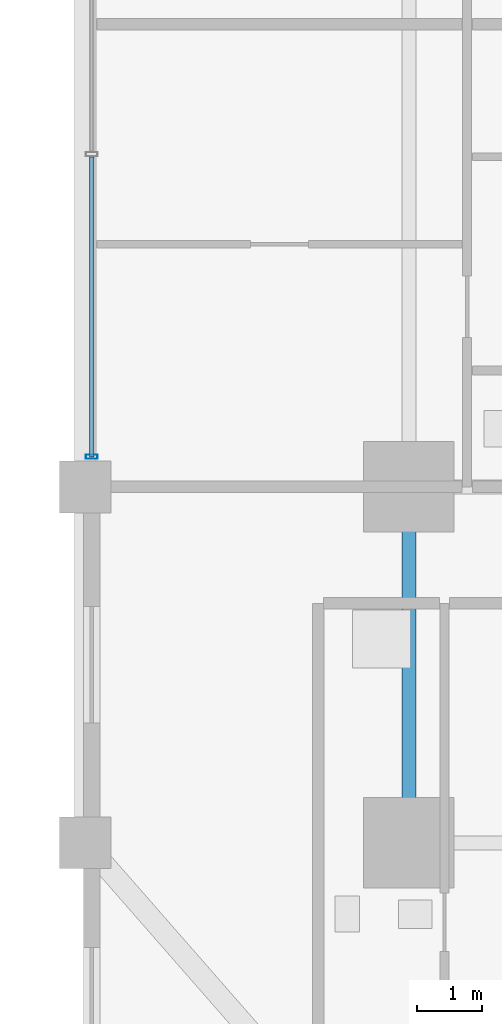
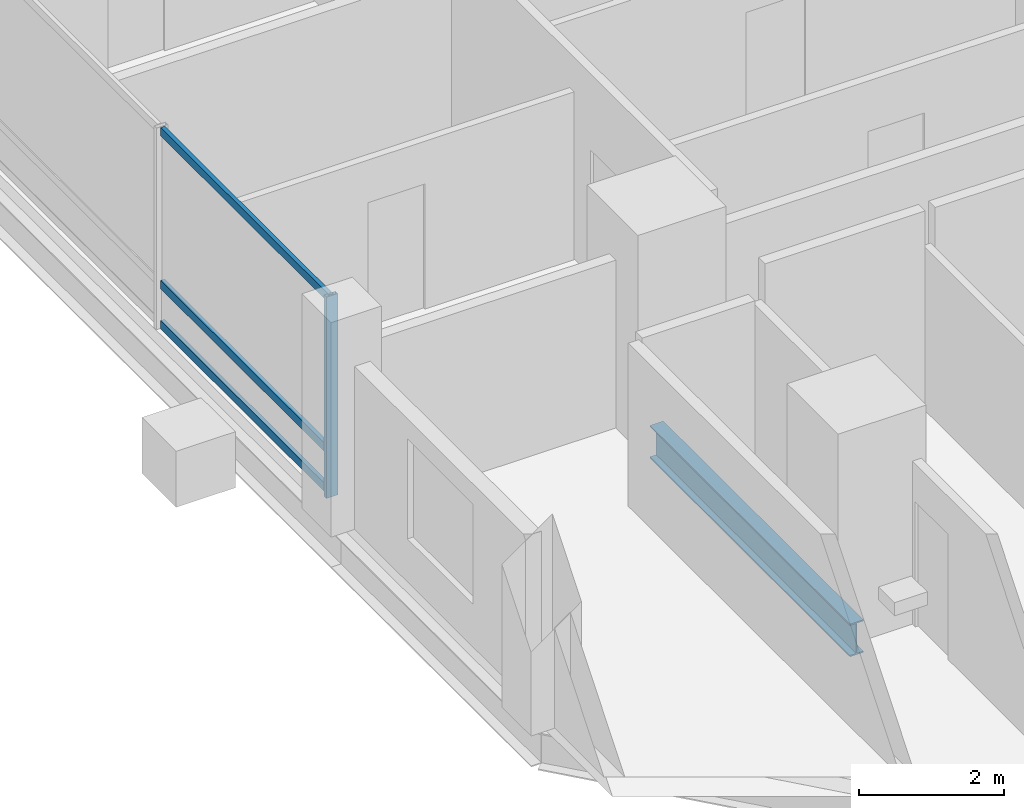
# One storey, part 4 of 24: 4 members, 1 beam, 1 element without a shape of its own.
"""IFC4 building model written with IfcOpenShell, lengths in metres."""

from ifc_helpers import new_model, si_unit, direction, frame, origin, origin_2d, place, context, subcontext, project, spatial, hollow_rectangle, i_section, extrude, material, layer, layer_set, material_profile, profile_set, type_object, element, aggregate, save


model = new_model("IFC4")

# Units and contexts
model_context = context("Model", 3, precision=1e-05, world=origin(), true_north=direction((0.0, 1.0)))
body_context = subcontext(model_context, "Body", "Model", "MODEL_VIEW")
ifc_project = project(units=[si_unit("LENGTHUNIT", "METRE"), si_unit("AREAUNIT", "SQUARE_METRE"), si_unit("VOLUMEUNIT", "CUBIC_METRE"), si_unit("PLANEANGLEUNIT", "RADIAN"), si_unit("MASSUNIT", "GRAM", prefix="KILO")], contexts=[model_context])

# Site, building, storey
site_placement = place(None, origin())
site = spatial("IfcSite", under=ifc_project, at=site_placement, CompositionType="ELEMENT")
building_placement = place(site_placement, origin())
building = spatial("IfcBuilding", under=site, at=building_placement, Name="Barlavira Tower and Art Museum", CompositionType="ELEMENT")
storey_placement = place(building_placement, frame((0.0, 0.0, 32.39990234375)))
storey = spatial("IfcBuildingStorey", under=building, at=storey_placement, Name="L06", CompositionType="ELEMENT", Elevation=32.39990234375)

# Curtain wall, members
ifc_material_1 = material(Name="Low-iron coastal laminated glass", Category="glass")
ifc_layer = layer(ifc_material_1, 0.179931640625, Name="Low-iron coastal laminated glass")
ifc_layer_set = layer_set([ifc_layer], Name="Low-iron coastal laminated glass")
curtain_wall_type = type_object("IfcCurtainWallType", Name="Pale-Metal Unitised Curtain Wall Zone 1", PredefinedType="NOTDEFINED", material=ifc_layer_set)
curtain_wall_placement = place(storey_placement, origin())
curtain_wall = element("IfcCurtainWall", 1, at=curtain_wall_placement, inside=storey, type_object=curtain_wall_type, Name="L06 Curtain Wall CW1-L06-W-B3", PredefinedType="NOTDEFINED")
ifc_material_2 = material(Name="Pale anodised aluminium", Category="aluminium")
ifc_material_profile_1 = material_profile(ifc_material_2, hollow_rectangle(XDim=0.06494140625, YDim=0.179931640625, WallThickness=0.00390625, at=origin_2d()), Name="ALU-MULL 65x180x4")
ifc_profile_set_1 = profile_set([ifc_material_profile_1], Name="Pale anodised aluminium")
member_type_1 = type_object("IfcMemberType", Name="Curtain Wall Pale-Metal Mullion 65x180", PredefinedType="MULLION", material=ifc_profile_set_1)
member_1_placement = place(storey_placement, frame((-21.89990234375, -7.034912109375, 0.0), z_axis=(0.0, 0.0, 1.0), x_axis=(0.0, -1.0, 0.0)))
member_1 = element("IfcMember", 2, at=member_1_placement, type_object=member_type_1, Name="CW1-L06-W-B3 Mullion 3", PredefinedType="MULLION", context=body_context, shape_type="SweptSolid", body=[
    extrude(hollow_rectangle(XDim=0.06494140625, YDim=0.179931640625, WallThickness=0.00390625, at=origin_2d()), origin(), (0.0, 0.0, 1.0), 3.380126953125),
])
ifc_material_profile_2 = material_profile(ifc_material_2, hollow_rectangle(XDim=0.06494140625, YDim=0.139892578125, WallThickness=0.00390625, at=origin_2d()), Name="ALU-TRAN 65x140x4")
ifc_profile_set_2 = profile_set([ifc_material_profile_2], Name="Pale anodised aluminium")
member_type_2 = type_object("IfcMemberType", Name="Curtain Wall Pale-Metal Transom 65x140", PredefinedType="USERDEFINED", material=ifc_profile_set_2)
member_2_placement = place(storey_placement, frame((-21.89990234375, -2.405029296875, 0.070068359375), z_axis=(0.0, -1.0, 0.0), x_axis=(1.0, 0.0, 0.0)))
member_2 = element("IfcMember", 3, at=member_2_placement, type_object=member_type_2, Name="CW1-L06-W-B3 Transom 2.1", ObjectType="TRANSOM", PredefinedType="USERDEFINED", context=body_context, shape_type="SweptSolid", body=[
    extrude(hollow_rectangle(XDim=0.06494140625, YDim=0.139892578125, WallThickness=0.00390625, at=origin_2d()), origin(), (0.0, 0.0, 1.0), 4.6298828125),
])
member_3_placement = place(storey_placement, frame((-21.89990234375, -2.405029296875, 0.744140625), z_axis=(0.0, -1.0, 0.0), x_axis=(1.0, 0.0, 0.0)))
member_3 = element("IfcMember", 4, at=member_3_placement, type_object=member_type_2, Name="CW1-L06-W-B3 Transom 2.2", ObjectType="TRANSOM", PredefinedType="USERDEFINED", context=body_context, shape_type="SweptSolid", body=[
    extrude(hollow_rectangle(XDim=0.06494140625, YDim=0.139892578125, WallThickness=0.00390625, at=origin_2d()), origin(), (0.0, 0.0, 1.0), 4.6298828125),
])
member_4_placement = place(storey_placement, frame((-21.89990234375, -2.405029296875, 3.31005859375), z_axis=(0.0, -1.0, 0.0), x_axis=(1.0, 0.0, 0.0)))
member_4 = element("IfcMember", 5, at=member_4_placement, type_object=member_type_2, Name="CW1-L06-W-B3 Transom 2.3", ObjectType="TRANSOM", PredefinedType="USERDEFINED", context=body_context, shape_type="SweptSolid", body=[
    extrude(hollow_rectangle(XDim=0.06494140625, YDim=0.139892578125, WallThickness=0.00390625, at=origin_2d()), origin(), (0.0, 0.0, 1.0), 4.6298828125),
])
aggregate(curtain_wall, [member_1, member_2, member_3, member_4])

# Beam
ifc_material_3 = material(Name="Steel S355", Category="steel")
ifc_material_profile_3 = material_profile(ifc_material_3, i_section(OverallWidth=0.214111328125, OverallDepth=0.549072265625, WebThickness=0.0146484375, FlangeThickness=0.023681640625, at=origin_2d()), Name="W530x138.0")
ifc_profile_set_3 = profile_set([ifc_material_profile_3], Name="Steel S355")
beam_type = type_object("IfcBeamType", Name="Zone 1 Primary Floor Girder W530x138 Steel S355", PredefinedType="BEAM", material=ifc_profile_set_3)
beam_placement = place(storey_placement, frame((-17.0, -13.0, -0.494384765625), z_axis=(0.0, 1.0, 0.0), x_axis=(-1.0, 0.0, 0.0)))
element("IfcBeam", 6, at=beam_placement, inside=storey, type_object=beam_type, Name="L06 Girder M-W1", PredefinedType="BEAM", context=body_context, shape_type="SweptSolid", body=[
    extrude(i_section(OverallWidth=0.214111328125, OverallDepth=0.549072265625, WebThickness=0.0146484375, FlangeThickness=0.023681640625, at=origin_2d()), origin(), (0.0, 0.0, 1.0), 5.5),
])

save(model, "model.ifc")
